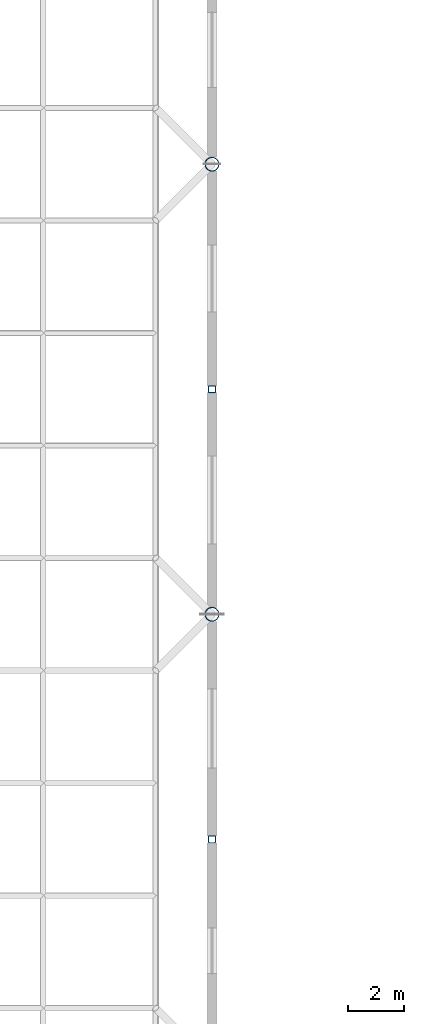
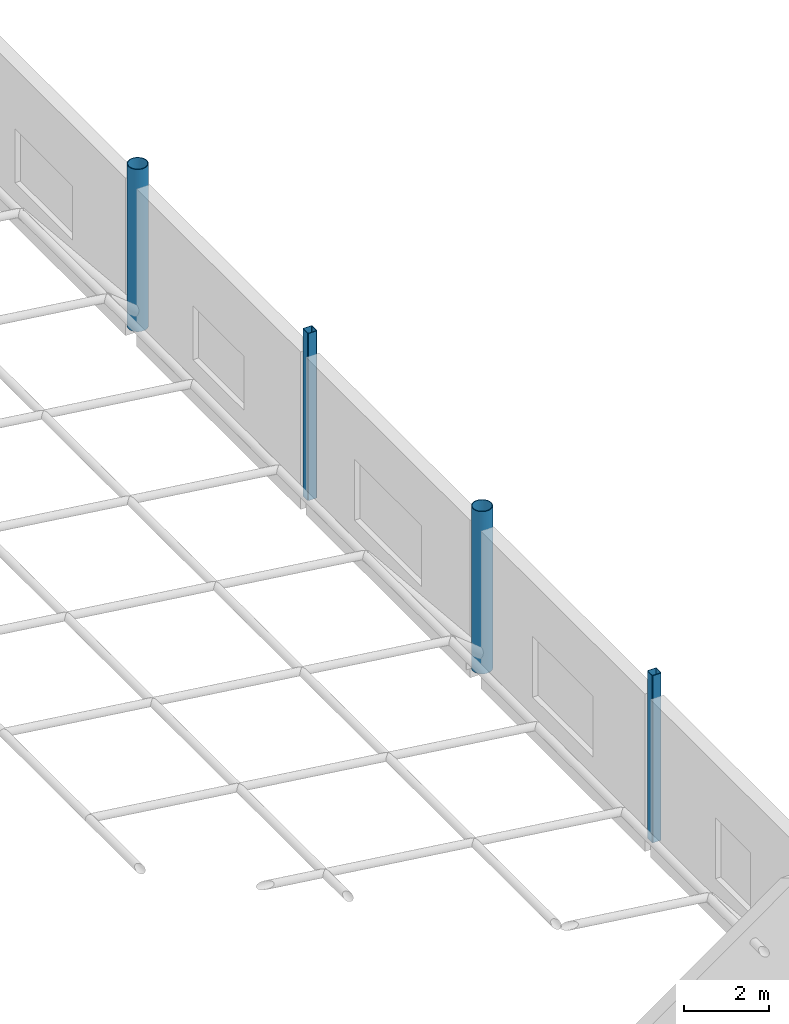
# One storey, part 7 of 89: 4 columns.
"""IFC4 building model written with IfcOpenShell, lengths in metres."""

import ifcopenshell
import ifcopenshell.guid

model = None  # the IFC model being written
_history = None  # IfcOwnerHistory: only IFC2X3 demands one
_inside = {}  # id of a spatial element -> (the spatial element, [elements in it])
_under = {}  # id of a project, library or spatial element -> (it, [spatial elements below it])
_declared = {}  # id of a project -> (the project, [libraries it declares])
_typed = {}  # id of a type object -> (the type object, [elements of that type])
_made_of = {}  # id of a material, layer set ... -> (it, [elements and type objects made of it])


def new_model(schema):
    """Start an empty IFC model of exactly this schema.

    Asked for "IFC4X3", IfcOpenShell would pick the latest addendum, in which some entities
    have other attributes; the version numbers below select the first issue.
    IFC2X3 requires an IfcOwnerHistory on every rooted entity: one is made here for all.
    """
    global model, _history
    if schema == "IFC4X3":
        model = ifcopenshell.file(schema_version=(4, 3, 0, 0))
    else:
        model = ifcopenshell.file(schema=schema)
    _inside.clear()
    _under.clear()
    _declared.clear()
    _typed.clear()
    _made_of.clear()
    _history = None
    if model.schema == "IFC2X3":
        org = make("IfcOrganization", Name="unknown")
        user = make(
            "IfcPersonAndOrganization",
            ThePerson=make("IfcPerson", FamilyName="unknown"),
            TheOrganization=org,
        )
        app = make(
            "IfcApplication",
            ApplicationDeveloper=org,
            Version="unknown",
            ApplicationFullName="unknown",
            ApplicationIdentifier="unknown",
        )
        _history = make(
            "IfcOwnerHistory",
            OwningUser=user,
            OwningApplication=app,
            ChangeAction="ADDED",
            CreationDate=0,
        )
    return model


def make(cls, **values):
    """One entity of the class cls with the attributes given. An attribute that is None is left unset."""
    return model.create_entity(
        cls, **{name: value for name, value in values.items() if value is not None}
    )


def rooted(cls, **values):
    """An entity with a GlobalId (a new one), such as an element, a storey or a relation."""
    return make(cls, GlobalId=ifcopenshell.guid.new(), OwnerHistory=_history, **values)


def si_unit(unit_type, name, prefix=None):
    """IfcSIUnit, for example si_unit("LENGTHUNIT", "METRE", prefix="MILLI")."""
    return make("IfcSIUnit", UnitType=unit_type, Prefix=prefix, Name=name)


def assignment(units):
    """IfcUnitAssignment: the units of a project."""
    return None if units is None else make("IfcUnitAssignment", Units=units)


def point(xyz):
    """IfcCartesianPoint."""
    return None if xyz is None else make("IfcCartesianPoint", Coordinates=xyz)


def direction(xyz):
    """IfcDirection."""
    return None if xyz is None else make("IfcDirection", DirectionRatios=xyz)


def frame(location, z_axis=None, x_axis=None):
    """IfcAxis2Placement3D, a coordinate frame: its origin and axes. An axis left out is left unset."""
    return make(
        "IfcAxis2Placement3D",
        Location=point(location),
        Axis=direction(z_axis),
        RefDirection=direction(x_axis),
    )


def frame_2d(location, x_axis=None):
    """IfcAxis2Placement2D, a coordinate frame in the plane: its origin and x axis."""
    return make(
        "IfcAxis2Placement2D", Location=point(location), RefDirection=direction(x_axis)
    )


def origin():
    """The frame at (0, 0, 0) with its axes left unset."""
    return frame((0.0, 0.0, 0.0))


def origin_2d():
    """The frame at (0, 0) in the plane with its x axis left unset."""
    return frame_2d((0.0, 0.0))


def place(relative_to, where):
    """IfcLocalPlacement: puts the frame where relative to a parent placement (None: the world)."""
    return make(
        "IfcLocalPlacement", PlacementRelTo=relative_to, RelativePlacement=where
    )


def context(
    kind, dimensions, precision=None, world=None, true_north=None, identifier=None
):
    """IfcGeometricRepresentationContext, for example the 3D "Model" context."""
    return make(
        "IfcGeometricRepresentationContext",
        ContextIdentifier=identifier,
        ContextType=kind,
        CoordinateSpaceDimension=dimensions,
        Precision=precision,
        WorldCoordinateSystem=world,
        TrueNorth=true_north,
    )


def subcontext(parent, identifier, kind, view, scale=None):
    """IfcGeometricRepresentationSubContext, for example "Body" below "Model"."""
    return make(
        "IfcGeometricRepresentationSubContext",
        ContextIdentifier=identifier,
        ContextType=kind,
        ParentContext=parent,
        TargetScale=scale,
        TargetView=view,
    )


def project(units=None, contexts=None):
    """IfcProject with its units and contexts."""
    return rooted(
        "IfcProject",
        Name="project",
        RepresentationContexts=contexts,
        UnitsInContext=assignment(units),
    )


def spatial(cls, under=None, at=None, **own):
    """A site, building, storey or space (cls), placed at a placement, below another one or the project."""
    s = rooted(cls, ObjectPlacement=at, **own)
    if under is not None:
        _under.setdefault(under.id(), (under, []))[1].append(s)
    return s


def profile(cls, at=None, kind="AREA", **sizes):
    """A parametric profile (cls). Its sizes go by their IFC names, for example OverallWidth=200.0."""
    return make(cls, ProfileType=kind, Position=at, **sizes)


def hollow_rectangle(**sizes):
    """IfcRectangleHollowProfileDef."""
    return profile("IfcRectangleHollowProfileDef", **sizes)


def hollow_circle(**sizes):
    """IfcCircleHollowProfileDef."""
    return profile("IfcCircleHollowProfileDef", **sizes)


def extrude(swept, where, along, depth):
    """IfcExtrudedAreaSolid: the profile swept, set in the frame where, extruded along a direction by depth."""
    return make(
        "IfcExtrudedAreaSolid",
        SweptArea=swept,
        Position=where,
        ExtrudedDirection=direction(along),
        Depth=depth,
    )


def shape(context_of_items, identifier, shape_type, items):
    """IfcShapeRepresentation: the items that make up one representation, for example the "Body"."""
    return make(
        "IfcShapeRepresentation",
        ContextOfItems=context_of_items,
        RepresentationIdentifier=identifier,
        RepresentationType=shape_type,
        Items=items,
    )


def material(Name=None, Category=None):
    """IfcMaterial."""
    return make("IfcMaterial", Name=Name, Category=Category)


def material_profile(
    of_material, cross_section, Name=None, Category=None, Priority=None
):
    """IfcMaterialProfile: a cross section and its material."""
    return make(
        "IfcMaterialProfile",
        Name=Name,
        Material=of_material,
        Profile=cross_section,
        Priority=Priority,
        Category=Category,
    )


def profile_set(profiles, Name=None, composite=None):
    """IfcMaterialProfileSet."""
    return make(
        "IfcMaterialProfileSet",
        Name=Name,
        MaterialProfiles=profiles,
        CompositeProfile=composite,
    )


def made_of(thing, what):
    """Note that an element or type object is made of a material, layer set ...; save() writes the relation."""
    if what is not None:
        _made_of.setdefault(what.id(), (what, []))[1].append(thing)
    return thing


def type_object(cls, material=None, **own):
    """A type object (cls), such as IfcWallType, which elements share."""
    return made_of(rooted(cls, **own), material)


def element(
    cls,
    number,
    at=None,
    inside=None,
    cuts=None,
    type_object=None,
    material=None,
    context=None,
    identifier="Body",
    shape_type=None,
    held_by="IfcProductDefinitionShape",
    body=None,
    shapes=None,
    **own,
):
    """One element of the class cls, such as IfcWall. Its Tag is "e" and its number.

    at: its placement. inside: the storey or other place that contains it. cuts: it is an
    opening in that element (IfcRelVoidsElement). A single representation is given by context,
    identifier, shape_type and body (its items); several are given by shapes. held_by: the class
    of the entity that holds the representations. save() writes the other relations.
    """
    e = rooted(cls, Tag="e%d" % number, ObjectPlacement=at, **own)
    if body is not None:
        shapes = [shape(context, identifier, shape_type, body)]
    if shapes is not None:
        e.Representation = make(held_by, Representations=shapes)
    if inside is not None:
        _inside.setdefault(inside.id(), (inside, []))[1].append(e)
    if cuts is not None:
        rooted(
            "IfcRelVoidsElement", RelatingBuildingElement=cuts, RelatedOpeningElement=e
        )
    if type_object is not None:
        _typed.setdefault(type_object.id(), (type_object, []))[1].append(e)
    return made_of(e, material)


def aggregate(whole, parts):
    """IfcRelAggregates: a whole, such as a stair, and the parts it consists of."""
    return rooted("IfcRelAggregates", RelatingObject=whole, RelatedObjects=parts)


def save(model, path):
    """Write the relations noted so far, then the file.

    IfcRelAggregates (storeys below a building ...), IfcRelContainedInSpatialStructure (elements
    in a storey), IfcRelDefinesByType, IfcRelAssociatesMaterial and IfcRelDeclares: one each for
    every whole, place, type object, material and project.
    """
    for whole, parts in _under.values():
        aggregate(whole, parts)
    for where, things in _inside.values():
        rooted(
            "IfcRelContainedInSpatialStructure",
            RelatedElements=things,
            RelatingStructure=where,
        )
    for kind, things in _typed.values():
        rooted("IfcRelDefinesByType", RelatedObjects=things, RelatingType=kind)
    for what, things in _made_of.values():
        rooted("IfcRelAssociatesMaterial", RelatedObjects=things, RelatingMaterial=what)
    for by, libraries in _declared.values():
        rooted("IfcRelDeclares", RelatingContext=by, RelatedDefinitions=libraries)
    model.write(path)


model = new_model("IFC4")

# Units and contexts
model_context = context("Model", 3, precision=1e-05, world=origin(), true_north=direction((0.0, 1.0)))
body_context = subcontext(model_context, "Body", "Model", "MODEL_VIEW")
ifc_project = project(units=[si_unit("LENGTHUNIT", "METRE"), si_unit("AREAUNIT", "SQUARE_METRE"), si_unit("VOLUMEUNIT", "CUBIC_METRE"), si_unit("PLANEANGLEUNIT", "RADIAN"), si_unit("MASSUNIT", "GRAM", prefix="KILO")], contexts=[model_context])

# Site, building, storey
site_placement = place(None, origin())
site = spatial("IfcSite", under=ifc_project, at=site_placement, CompositionType="ELEMENT")
building_placement = place(site_placement, origin())
building = spatial("IfcBuilding", under=site, at=building_placement, Name="Vaudrelin Polytechnic", CompositionType="ELEMENT")
storey_placement = place(building_placement, frame((0.0, 0.0, 9.68994140625)))
storey = spatial("IfcBuildingStorey", under=building, at=storey_placement, Name="L02", CompositionType="ELEMENT", Elevation=9.68994140625)

# Columns
ifc_material_1 = material(Name="Steel CSA G40.21 350W", Category="steel")
ifc_material_profile_1 = material_profile(ifc_material_1, hollow_rectangle(XDim=0.25390625, YDim=0.25390625, WallThickness=0.0126953125, InnerFilletRadius=0.0126953125, OuterFilletRadius=0.025390625, at=origin_2d()), Name="HSS254x254x12.7")
ifc_profile_set_1 = profile_set([ifc_material_profile_1], Name="Steel CSA G40.21 350W")
column_type_1 = type_object("IfcColumnType", Name="COL-C-HSS254", PredefinedType="COLUMN", material=ifc_profile_set_1)
for number, where, z_axis, x_axis, name in (
    (1, (32.39990234375, 56.699951171875, 0.0), (0.0, 0.0, 1.0), (1.0, 0.0, 0.0), "Workshop roof perimeter post 4-7"),
    (2, (32.39990234375, 72.89990234375, 0.0), (0.0, 0.0, 1.0), (1.0, 0.0, 0.0), "Workshop roof perimeter post 4-9"),
):
    element("IfcColumn", number, at=place(storey_placement, frame(where, z_axis=z_axis, x_axis=x_axis)), inside=storey, type_object=column_type_1, Name=name, PredefinedType="COLUMN", context=body_context, shape_type="SweptSolid", body=[
        extrude(hollow_rectangle(XDim=0.25390625, YDim=0.25390625, WallThickness=0.0126953125, InnerFilletRadius=0.0126953125, OuterFilletRadius=0.025390625, at=origin_2d()), origin(), (0.0, 0.0, 1.0), 4.800048828125),
    ])
ifc_material_2 = material(Name="Steel CSA G40.21 350WT", Category="steel")
ifc_material_profile_2 = material_profile(ifc_material_2, hollow_circle(Radius=0.25390625, WallThickness=0.01904296875, at=origin_2d()), Name="CHS508.0x19.1")
ifc_profile_set_2 = profile_set([ifc_material_profile_2], Name="Steel CSA G40.21 350WT")
column_type_2 = type_object("IfcColumnType", Name="COL-C-TR508", PredefinedType="COLUMN", material=ifc_profile_set_2)
for number, where, z_axis, x_axis, name in (
    (3, (32.39990234375, 64.800048828125, 0.0), (0.0, 0.0, 1.0), (1.0, 0.0, 0.0), "Space frame expressed tree stem 5"),
    (4, (32.39990234375, 81.0, 0.0), (0.0, 0.0, 1.0), (1.0, 0.0, 0.0), "Space frame expressed tree stem 6"),
):
    element("IfcColumn", number, at=place(storey_placement, frame(where, z_axis=z_axis, x_axis=x_axis)), inside=storey, type_object=column_type_2, Name=name, PredefinedType="COLUMN", context=body_context, shape_type="SweptSolid", body=[
        extrude(hollow_circle(Radius=0.25390625, WallThickness=0.01904296875, at=origin_2d()), origin(), (0.0, 0.0, 1.0), 4.66015625),
    ])

save(model, "model.ifc")
